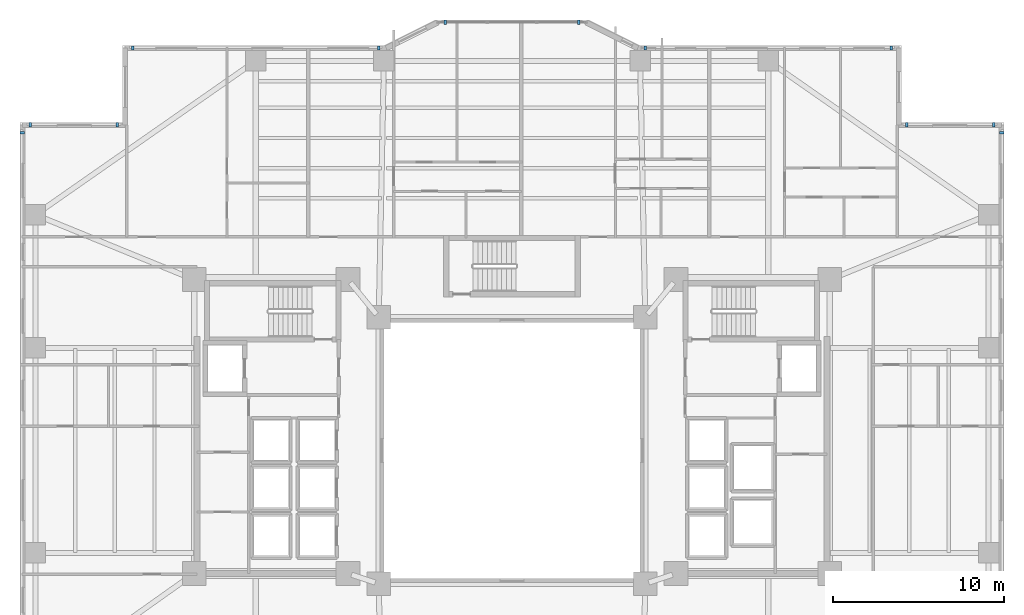
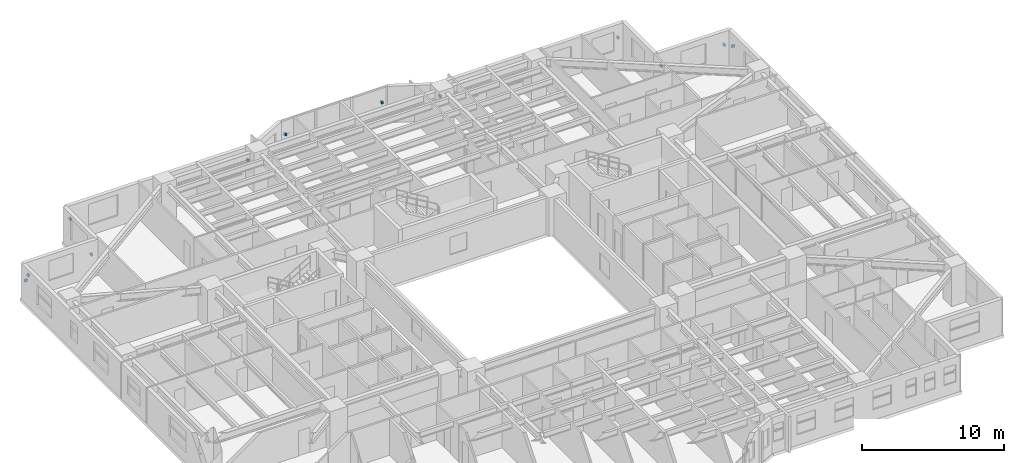
# One storey, part 19 of 22: 12 discrete accessories.
"""IFC4 building model written with IfcOpenShell, lengths in metres."""

import ifcopenshell
import ifcopenshell.guid

model = None  # the IFC model being written
_history = None  # IfcOwnerHistory: only IFC2X3 demands one
_inside = {}  # id of a spatial element -> (the spatial element, [elements in it])
_under = {}  # id of a project, library or spatial element -> (it, [spatial elements below it])
_declared = {}  # id of a project -> (the project, [libraries it declares])
_typed = {}  # id of a type object -> (the type object, [elements of that type])
_made_of = {}  # id of a material, layer set ... -> (it, [elements and type objects made of it])


def new_model(schema):
    """Start an empty IFC model of exactly this schema.

    Asked for "IFC4X3", IfcOpenShell would pick the latest addendum, in which some entities
    have other attributes; the version numbers below select the first issue.
    IFC2X3 requires an IfcOwnerHistory on every rooted entity: one is made here for all.
    """
    global model, _history
    if schema == "IFC4X3":
        model = ifcopenshell.file(schema_version=(4, 3, 0, 0))
    else:
        model = ifcopenshell.file(schema=schema)
    _inside.clear()
    _under.clear()
    _declared.clear()
    _typed.clear()
    _made_of.clear()
    _history = None
    if model.schema == "IFC2X3":
        org = make("IfcOrganization", Name="unknown")
        user = make(
            "IfcPersonAndOrganization",
            ThePerson=make("IfcPerson", FamilyName="unknown"),
            TheOrganization=org,
        )
        app = make(
            "IfcApplication",
            ApplicationDeveloper=org,
            Version="unknown",
            ApplicationFullName="unknown",
            ApplicationIdentifier="unknown",
        )
        _history = make(
            "IfcOwnerHistory",
            OwningUser=user,
            OwningApplication=app,
            ChangeAction="ADDED",
            CreationDate=0,
        )
    return model


def make(cls, **values):
    """One entity of the class cls with the attributes given. An attribute that is None is left unset."""
    return model.create_entity(
        cls, **{name: value for name, value in values.items() if value is not None}
    )


def rooted(cls, **values):
    """An entity with a GlobalId (a new one), such as an element, a storey or a relation."""
    return make(cls, GlobalId=ifcopenshell.guid.new(), OwnerHistory=_history, **values)


def si_unit(unit_type, name, prefix=None):
    """IfcSIUnit, for example si_unit("LENGTHUNIT", "METRE", prefix="MILLI")."""
    return make("IfcSIUnit", UnitType=unit_type, Prefix=prefix, Name=name)


def assignment(units):
    """IfcUnitAssignment: the units of a project."""
    return None if units is None else make("IfcUnitAssignment", Units=units)


def point(xyz):
    """IfcCartesianPoint."""
    return None if xyz is None else make("IfcCartesianPoint", Coordinates=xyz)


def direction(xyz):
    """IfcDirection."""
    return None if xyz is None else make("IfcDirection", DirectionRatios=xyz)


def frame(location, z_axis=None, x_axis=None):
    """IfcAxis2Placement3D, a coordinate frame: its origin and axes. An axis left out is left unset."""
    return make(
        "IfcAxis2Placement3D",
        Location=point(location),
        Axis=direction(z_axis),
        RefDirection=direction(x_axis),
    )


def frame_2d(location, x_axis=None):
    """IfcAxis2Placement2D, a coordinate frame in the plane: its origin and x axis."""
    return make(
        "IfcAxis2Placement2D", Location=point(location), RefDirection=direction(x_axis)
    )


def origin():
    """The frame at (0, 0, 0) with its axes left unset."""
    return frame((0.0, 0.0, 0.0))


def origin_2d():
    """The frame at (0, 0) in the plane with its x axis left unset."""
    return frame_2d((0.0, 0.0))


def place(relative_to, where):
    """IfcLocalPlacement: puts the frame where relative to a parent placement (None: the world)."""
    return make(
        "IfcLocalPlacement", PlacementRelTo=relative_to, RelativePlacement=where
    )


def context(
    kind, dimensions, precision=None, world=None, true_north=None, identifier=None
):
    """IfcGeometricRepresentationContext, for example the 3D "Model" context."""
    return make(
        "IfcGeometricRepresentationContext",
        ContextIdentifier=identifier,
        ContextType=kind,
        CoordinateSpaceDimension=dimensions,
        Precision=precision,
        WorldCoordinateSystem=world,
        TrueNorth=true_north,
    )


def subcontext(parent, identifier, kind, view, scale=None):
    """IfcGeometricRepresentationSubContext, for example "Body" below "Model"."""
    return make(
        "IfcGeometricRepresentationSubContext",
        ContextIdentifier=identifier,
        ContextType=kind,
        ParentContext=parent,
        TargetScale=scale,
        TargetView=view,
    )


def project(units=None, contexts=None):
    """IfcProject with its units and contexts."""
    return rooted(
        "IfcProject",
        Name="project",
        RepresentationContexts=contexts,
        UnitsInContext=assignment(units),
    )


def spatial(cls, under=None, at=None, **own):
    """A site, building, storey or space (cls), placed at a placement, below another one or the project."""
    s = rooted(cls, ObjectPlacement=at, **own)
    if under is not None:
        _under.setdefault(under.id(), (under, []))[1].append(s)
    return s


def profile(cls, at=None, kind="AREA", **sizes):
    """A parametric profile (cls). Its sizes go by their IFC names, for example OverallWidth=200.0."""
    return make(cls, ProfileType=kind, Position=at, **sizes)


def rectangle(**sizes):
    """IfcRectangleProfileDef."""
    return profile("IfcRectangleProfileDef", **sizes)


def extrude(swept, where, along, depth):
    """IfcExtrudedAreaSolid: the profile swept, set in the frame where, extruded along a direction by depth."""
    return make(
        "IfcExtrudedAreaSolid",
        SweptArea=swept,
        Position=where,
        ExtrudedDirection=direction(along),
        Depth=depth,
    )


def shape(context_of_items, identifier, shape_type, items):
    """IfcShapeRepresentation: the items that make up one representation, for example the "Body"."""
    return make(
        "IfcShapeRepresentation",
        ContextOfItems=context_of_items,
        RepresentationIdentifier=identifier,
        RepresentationType=shape_type,
        Items=items,
    )


def material(Name=None, Category=None):
    """IfcMaterial."""
    return make("IfcMaterial", Name=Name, Category=Category)


def made_of(thing, what):
    """Note that an element or type object is made of a material, layer set ...; save() writes the relation."""
    if what is not None:
        _made_of.setdefault(what.id(), (what, []))[1].append(thing)
    return thing


def type_object(cls, material=None, **own):
    """A type object (cls), such as IfcWallType, which elements share."""
    return made_of(rooted(cls, **own), material)


def element(
    cls,
    number,
    at=None,
    inside=None,
    cuts=None,
    type_object=None,
    material=None,
    context=None,
    identifier="Body",
    shape_type=None,
    held_by="IfcProductDefinitionShape",
    body=None,
    shapes=None,
    **own,
):
    """One element of the class cls, such as IfcWall. Its Tag is "e" and its number.

    at: its placement. inside: the storey or other place that contains it. cuts: it is an
    opening in that element (IfcRelVoidsElement). A single representation is given by context,
    identifier, shape_type and body (its items); several are given by shapes. held_by: the class
    of the entity that holds the representations. save() writes the other relations.
    """
    e = rooted(cls, Tag="e%d" % number, ObjectPlacement=at, **own)
    if body is not None:
        shapes = [shape(context, identifier, shape_type, body)]
    if shapes is not None:
        e.Representation = make(held_by, Representations=shapes)
    if inside is not None:
        _inside.setdefault(inside.id(), (inside, []))[1].append(e)
    if cuts is not None:
        rooted(
            "IfcRelVoidsElement", RelatingBuildingElement=cuts, RelatedOpeningElement=e
        )
    if type_object is not None:
        _typed.setdefault(type_object.id(), (type_object, []))[1].append(e)
    return made_of(e, material)


def aggregate(whole, parts):
    """IfcRelAggregates: a whole, such as a stair, and the parts it consists of."""
    return rooted("IfcRelAggregates", RelatingObject=whole, RelatedObjects=parts)


def save(model, path):
    """Write the relations noted so far, then the file.

    IfcRelAggregates (storeys below a building ...), IfcRelContainedInSpatialStructure (elements
    in a storey), IfcRelDefinesByType, IfcRelAssociatesMaterial and IfcRelDeclares: one each for
    every whole, place, type object, material and project.
    """
    for whole, parts in _under.values():
        aggregate(whole, parts)
    for where, things in _inside.values():
        rooted(
            "IfcRelContainedInSpatialStructure",
            RelatedElements=things,
            RelatingStructure=where,
        )
    for kind, things in _typed.values():
        rooted("IfcRelDefinesByType", RelatedObjects=things, RelatingType=kind)
    for what, things in _made_of.values():
        rooted("IfcRelAssociatesMaterial", RelatedObjects=things, RelatingMaterial=what)
    for by, libraries in _declared.values():
        rooted("IfcRelDeclares", RelatingContext=by, RelatedDefinitions=libraries)
    model.write(path)


model = new_model("IFC4")

# Units and contexts
model_context = context("Model", 3, precision=1e-05, world=origin(), true_north=direction((0.0, 1.0)))
body_context = subcontext(model_context, "Body", "Model", "MODEL_VIEW")
ifc_project = project(units=[si_unit("LENGTHUNIT", "METRE"), si_unit("AREAUNIT", "SQUARE_METRE"), si_unit("VOLUMEUNIT", "CUBIC_METRE"), si_unit("PLANEANGLEUNIT", "RADIAN"), si_unit("MASSUNIT", "GRAM", prefix="KILO")], contexts=[model_context])

# Site, building, storey
site_placement = place(None, origin())
site = spatial("IfcSite", under=ifc_project, at=site_placement, CompositionType="ELEMENT")
building_placement = place(site_placement, origin())
building = spatial("IfcBuilding", under=site, at=building_placement, Name="Tarnavaz Court Tower", CompositionType="ELEMENT")
storey_placement = place(building_placement, frame((0.0, 0.0, 27.35009765625)))
storey = spatial("IfcBuildingStorey", under=building, at=storey_placement, Name="L06", CompositionType="ELEMENT", Elevation=27.35009765625)

# Discrete accessories
ifc_material = material(Name="Anodised Aluminium 6063-T6", Category="aluminium")
discrete_accessory_type = type_object("IfcDiscreteAccessoryType", Name="DA-BRKT-ALU", PredefinedType="BRACKET", material=ifc_material)
for number, where, z_axis, x_axis, name in (
    (1, (-28.669921875, 18.60009765625, 1.75), (0.0, 0.0, 1.0), (0.0, 1.0, 0.0), "L06 Baguette Outrigger Bracket FBG02-2"),
    (2, (-28.199951171875, 19.070068359375, 1.75), (0.0, 0.0, 1.0), (1.0, 0.0, 0.0), "L06 Baguette Outrigger Bracket FBG03-1"),
    (3, (-23.10009765625, 19.070068359375, 1.75), (0.0, 0.0, 1.0), (1.0, 0.0, 0.0), "L06 Baguette Outrigger Bracket FBG03-2"),
    (4, (-22.199951171875, 23.570068359375, 1.75), (0.0, 0.0, 1.0), (1.0, 0.0, 0.0), "L06 Baguette Outrigger Bracket FBG05-1"),
    (5, (-7.800048828125, 23.570068359375, 1.75), (0.0, 0.0, 1.0), (1.0, 0.0, 0.0), "L06 Baguette Outrigger Bracket FBG05-2"),
    (6, (-3.89990234375, 25.070068359375, 1.69970703125), (0.0, 0.0, 1.0), (1.0, 0.0, 0.0), "L06 Baguette Outrigger Bracket PBG7-1"),
    (7, (3.89990234375, 25.070068359375, 1.69970703125), (0.0, 0.0, 1.0), (1.0, 0.0, 0.0), "L06 Baguette Outrigger Bracket PBG7-2"),
    (8, (7.800048828125, 23.570068359375, 1.75), (0.0, 0.0, 1.0), (1.0, 0.0, 0.0), "L06 Baguette Outrigger Bracket FBG09-1"),
    (9, (22.199951171875, 23.570068359375, 1.75), (0.0, 0.0, 1.0), (1.0, 0.0, 0.0), "L06 Baguette Outrigger Bracket FBG09-2"),
    (10, (23.10009765625, 19.070068359375, 1.75), (0.0, 0.0, 1.0), (1.0, 0.0, 0.0), "L06 Baguette Outrigger Bracket FBG11-1"),
    (11, (28.199951171875, 19.070068359375, 1.75), (0.0, 0.0, 1.0), (1.0, 0.0, 0.0), "L06 Baguette Outrigger Bracket FBG11-2"),
    (12, (28.669921875, 18.60009765625, 1.75), (0.0, 0.0, 1.0), (0.0, -1.0, 0.0), "L06 Baguette Outrigger Bracket FBG12-1"),
):
    element("IfcDiscreteAccessory", number, at=place(storey_placement, frame(where, z_axis=z_axis, x_axis=x_axis)), inside=storey, type_object=discrete_accessory_type, Name=name, PredefinedType="BRACKET", context=body_context, shape_type="SweptSolid", body=[
        extrude(rectangle(XDim=0.139892578125, YDim=0.239990234375, at=origin_2d()), origin(), (0.0, 0.0, 1.0), 0.199951171875),
    ])

save(model, "model.ifc")
